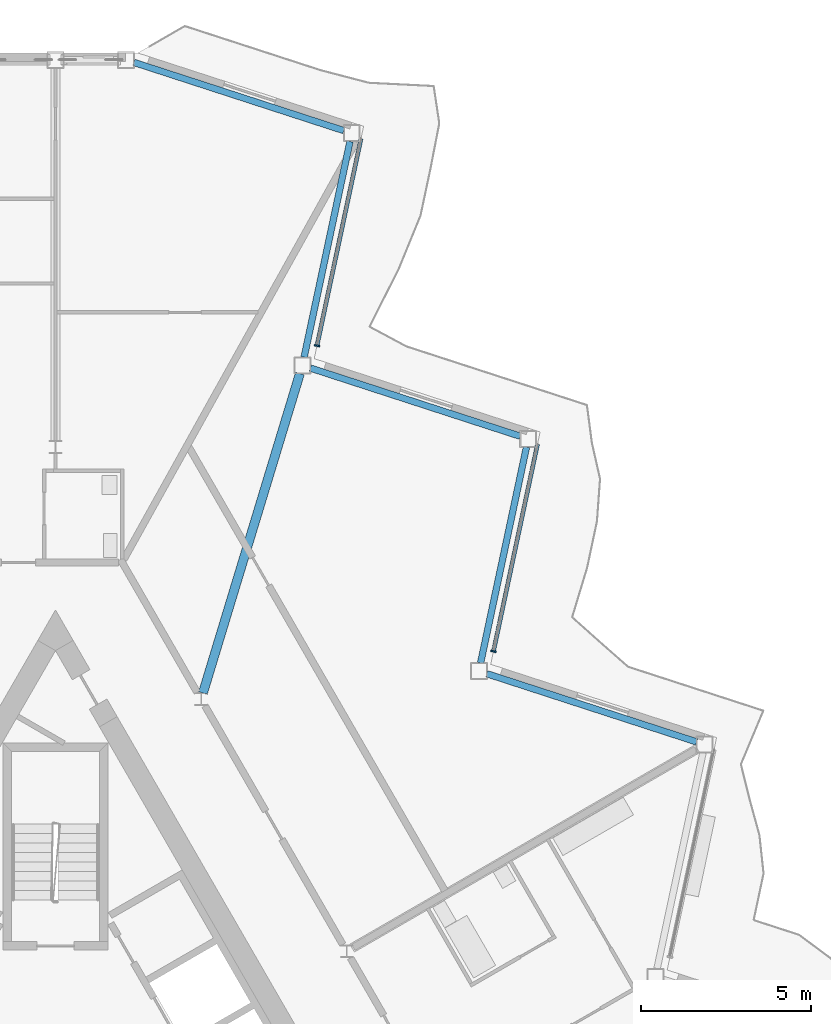
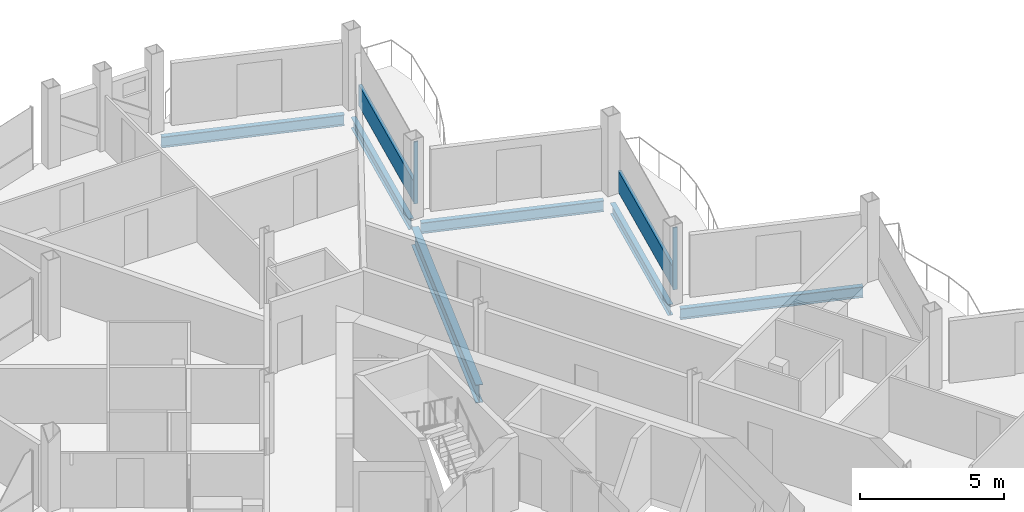
# One storey, part 10 of 26: 6 beams, 4 members, 2 elements without a shape of their own.
"""IFC4 building model written with IfcOpenShell, lengths in metres."""

from ifc_helpers import new_model, si_unit, direction, frame, origin, origin_2d, place, context, subcontext, project, spatial, rectangle, i_section, extrude, material, layer, layer_set, material_profile, profile_set, type_object, element, aggregate, save


model = new_model("IFC4")

# Units and contexts
model_context = context("Model", 3, precision=1e-05, world=origin(), true_north=direction((0.0, 1.0)))
body_context = subcontext(model_context, "Body", "Model", "MODEL_VIEW")
ifc_project = project(units=[si_unit("LENGTHUNIT", "METRE"), si_unit("AREAUNIT", "SQUARE_METRE"), si_unit("VOLUMEUNIT", "CUBIC_METRE"), si_unit("PLANEANGLEUNIT", "RADIAN"), si_unit("MASSUNIT", "GRAM", prefix="KILO")], contexts=[model_context])

# Site, building, storey
site_placement = place(None, origin())
site = spatial("IfcSite", under=ifc_project, at=site_placement, CompositionType="ELEMENT")
building_placement = place(site_placement, origin())
building = spatial("IfcBuilding", under=site, at=building_placement, Name="Cormorant Prow Tower", CompositionType="ELEMENT")
storey_placement = place(building_placement, frame((0.0, 0.0, 388.199951171875)))
storey = spatial("IfcBuildingStorey", under=building, at=storey_placement, Name="L88", CompositionType="ELEMENT", Elevation=388.199951171875)

# Beam
ifc_material_1 = material(Name="Structural steel ASTM A992 Gr 50", Category="steel")
ifc_material_profile_1 = material_profile(ifc_material_1, i_section(OverallWidth=0.267822265625, OverallDepth=0.77001953125, WebThickness=0.015625, FlangeThickness=0.025390625, at=origin_2d()), Name="W30x132")
ifc_profile_set_1 = profile_set([ifc_material_profile_1], Name="Structural steel ASTM A992 Gr 50")
beam_type_1 = type_object("IfcBeamType", Name="Radial floor beam W30x132", PredefinedType="BEAM", material=ifc_profile_set_1)
beam_1_placement = place(storey_placement, frame((4.343505859375, 12.560791015625, -0.684814453125), z_axis=(0.290499864147, 0.956875033079, 0.0), x_axis=(-0.956875033079, 0.290499864147, 0.0)))
element("IfcBeam", 1, at=beam_1_placement, inside=storey, type_object=beam_type_1, Name="Radial floor beam FB3 12 L88", PredefinedType="BEAM", context=body_context, shape_type="SweptSolid", body=[
    extrude(i_section(OverallWidth=0.267822265625, OverallDepth=0.77001953125, WebThickness=0.015625, FlangeThickness=0.025390625, at=origin_2d()), origin(), (0.0, 0.0, 1.0), 9.837158203125),
])

# Curtain wall, member
ifc_material_2 = material(Name="Aluminium 6063-T6", Category="aluminium")
ifc_layer = layer(ifc_material_2, 0.159912109375)
ifc_layer_set = layer_set([ifc_layer], Name="Aluminium 6063-T6")
curtain_wall_type = type_object("IfcCurtainWallType", Name="Residential unitised curtain wall 160", PredefinedType="NOTDEFINED", material=ifc_layer_set)
curtain_wall_1_placement = place(storey_placement, origin())
curtain_wall_1 = element("IfcCurtainWall", 2, at=curtain_wall_1_placement, inside=storey, type_object=curtain_wall_type, Name="Residential curtain wall ENE06", PredefinedType="NOTDEFINED")
ifc_material_3 = material(Name="Aluminium 6063-T6", Category="aluminium")
ifc_material_profile_2 = material_profile(ifc_material_3, rectangle(XDim=0.159912109375, YDim=0.050048828125, at=origin_2d()), Name="Residential mullion 50x160")
ifc_profile_set_2 = profile_set([ifc_material_profile_2], Name="Aluminium 6063-T6")
member_type_1 = type_object("IfcMemberType", Name="Residential mullion 50x160", PredefinedType="MULLION", material=ifc_profile_set_2)
member_1_placement = place(storey_placement, frame((12.905029296875, 13.79052734375, 0.0), z_axis=(0.0, 0.0, 1.0), x_axis=(-0.978147586701, 0.207911756835, 0.0)))
member_1 = element("IfcMember", 3, at=member_1_placement, type_object=member_type_1, Name="Residential mullion ENE06", PredefinedType="MULLION", context=body_context, shape_type="SweptSolid", body=[
    extrude(rectangle(XDim=0.159912109375, YDim=0.050048828125, at=origin_2d()), origin(), (0.0, 0.0, 1.0), 2.634033203125),
])

curtain_wall_2_placement = place(storey_placement, origin())
curtain_wall_2 = element("IfcCurtainWall", 4, at=curtain_wall_2_placement, inside=storey, type_object=curtain_wall_type, Name="Residential curtain wall ENE08", PredefinedType="NOTDEFINED")
member_2_placement = place(storey_placement, frame((7.704833984375, 22.79736328125, 0.0), z_axis=(0.0, 0.0, 1.0), x_axis=(-0.978147580525, 0.207911785891, 0.0)))
member_2 = element("IfcMember", 5, at=member_2_placement, type_object=member_type_1, Name="Residential mullion ENE08", PredefinedType="MULLION", context=body_context, shape_type="SweptSolid", body=[
    extrude(rectangle(XDim=0.159912109375, YDim=0.050048828125, at=origin_2d()), origin(), (0.0, 0.0, 1.0), 2.634033203125),
])

# Member
ifc_material_4 = material(Name="Terracotta", Category="masonry")
ifc_material_profile_3 = material_profile(ifc_material_4, rectangle(XDim=0.1201171875, YDim=0.89990234375, at=origin_2d()), Name="Residential terracotta spandrel rail 120x900")
ifc_profile_set_3 = profile_set([ifc_material_profile_3], Name="Terracotta")
member_type_2 = type_object("IfcMemberType", Name="Residential terracotta spandrel rail 120x900", PredefinedType="USERDEFINED", material=ifc_profile_set_3)
member_3_placement = place(storey_placement, frame((12.91015625, 13.815185546875, 0.449951171875), z_axis=(0.207916541247, 0.978146569731, 0.0), x_axis=(-0.978146569731, 0.207916541247, 0.0)))
member_3 = element("IfcMember", 6, at=member_3_placement, type_object=member_type_2, Name="Residential spandrel rail ENE06", ObjectType="TRANSOM", PredefinedType="USERDEFINED", context=body_context, shape_type="SweptSolid", body=[
    extrude(rectangle(XDim=0.1201171875, YDim=0.89990234375, at=origin_2d()), origin(), (0.0, 0.0, 1.0), 6.215087890625),
])

aggregate(curtain_wall_1, [member_1, member_3])

member_4_placement = place(storey_placement, frame((7.710205078125, 22.82177734375, 0.449951171875), z_axis=(0.207916541247, 0.978146569731, 0.0), x_axis=(-0.978146569731, 0.207916541247, 0.0)))
member_4 = element("IfcMember", 7, at=member_4_placement, type_object=member_type_2, Name="Residential spandrel rail ENE08", ObjectType="TRANSOM", PredefinedType="USERDEFINED", context=body_context, shape_type="SweptSolid", body=[
    extrude(rectangle(XDim=0.1201171875, YDim=0.89990234375, at=origin_2d()), origin(), (0.0, 0.0, 1.0), 6.215087890625),
])

aggregate(curtain_wall_2, [member_2, member_4])

# Beams
ifc_material_5 = material(Name="Structural steel ASTM A992 Gr 50", Category="steel")
ifc_material_profile_4 = material_profile(ifc_material_5, i_section(OverallWidth=0.19287109375, OverallDepth=0.466064453125, WebThickness=0.011474609375, FlangeThickness=0.01904296875, at=origin_2d()), Name="W18x65")
ifc_profile_set_4 = profile_set([ifc_material_profile_4], Name="Structural steel ASTM A992 Gr 50")
beam_type_2 = type_object("IfcBeamType", Name="Spandrel beam W18x65", PredefinedType="SPANDREL", material=ifc_profile_set_4)
beam_2_placement = place(storey_placement, frame((18.890869140625, 11.12109375, -0.532958984375), z_axis=(-0.951053396625, 0.309026595569, 0.0), x_axis=(-0.309026595569, -0.951053396625, 0.0)))
element("IfcBeam", 8, at=beam_2_placement, inside=storey, type_object=beam_type_2, Name="Spandrel beam SB4 ENE05-ENE06 L88", PredefinedType="SPANDREL", context=body_context, shape_type="SweptSolid", body=[
    extrude(i_section(OverallWidth=0.19287109375, OverallDepth=0.466064453125, WebThickness=0.011474609375, FlangeThickness=0.01904296875, at=origin_2d()), origin(), (0.0, 0.0, 1.0), 6.497314453125),
])
beam_3_placement = place(storey_placement, frame((12.52587890625, 13.45068359375, -0.532958984375), z_axis=(0.207901897373, 0.978149682344, 0.0), x_axis=(-0.978149682344, 0.207901897373, 0.0)))
element("IfcBeam", 9, at=beam_3_placement, inside=storey, type_object=beam_type_2, Name="Spandrel beam SB4 ENE06-ENE07 L88", PredefinedType="SPANDREL", context=body_context, shape_type="SweptSolid", body=[
    extrude(i_section(OverallWidth=0.19287109375, OverallDepth=0.466064453125, WebThickness=0.011474609375, FlangeThickness=0.01904296875, at=origin_2d()), origin(), (0.0, 0.0, 1.0), 6.49755859375),
])
beam_4_placement = place(storey_placement, frame((13.69091796875, 20.1279296875, -0.532958984375), z_axis=(-0.951068027308, 0.308981564875, 0.0), x_axis=(-0.308981564875, -0.951068027308, 0.0)))
element("IfcBeam", 10, at=beam_4_placement, inside=storey, type_object=beam_type_2, Name="Spandrel beam SB4 ENE07-ENE08 L88", PredefinedType="SPANDREL", context=body_context, shape_type="SweptSolid", body=[
    extrude(i_section(OverallWidth=0.19287109375, OverallDepth=0.466064453125, WebThickness=0.011474609375, FlangeThickness=0.01904296875, at=origin_2d()), origin(), (0.0, 0.0, 1.0), 6.497314453125),
])
for number, where, z_axis, x_axis, name in (
    (11, (7.32568359375, 22.457275390625, -0.532958984375), (0.20793784774, 0.978142040543, 0.0), (-0.978142040543, 0.20793784774, 0.0), "Spandrel beam SB4 ENE08-ENE09 L88"),
    (12, (8.490966796875, 29.134521484375, -0.532958984375), (-0.951056984862, 0.30901555227, 0.0), (-0.30901555227, -0.951056984862, 0.0), "Spandrel beam SB4 ENE09-N00 L88"),
):
    element("IfcBeam", number, at=place(storey_placement, frame(where, z_axis=z_axis, x_axis=x_axis)), inside=storey, type_object=beam_type_2, Name=name, PredefinedType="SPANDREL", context=body_context, shape_type="SweptSolid", body=[
        extrude(i_section(OverallWidth=0.19287109375, OverallDepth=0.466064453125, WebThickness=0.011474609375, FlangeThickness=0.01904296875, at=origin_2d()), origin(), (0.0, 0.0, 1.0), 6.49755859375),
    ])

save(model, "model.ifc")
